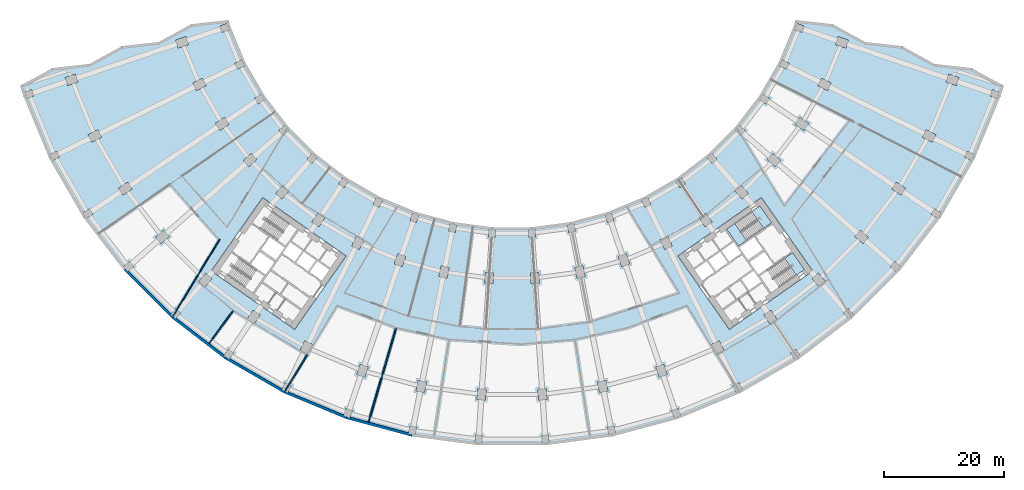
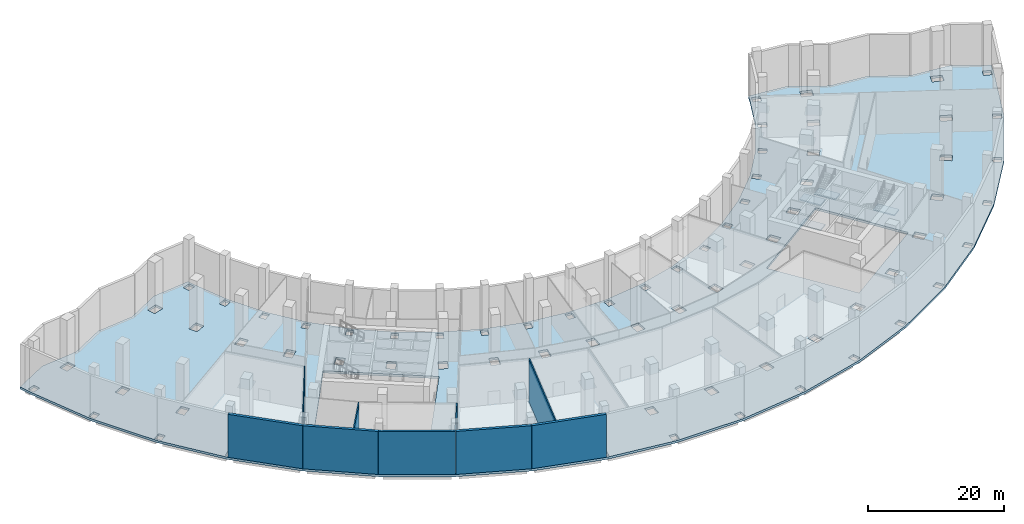
# One storey, part 4 of 17: 10 walls, 5 slabs, 2 elements without a shape of their own.
"""IFC4 building model written with IfcOpenShell, lengths in metres."""

from ifc_helpers import new_model, si_unit, direction, frame, frame_2d, origin, place, context, subcontext, project, spatial, polyline, rectangle, outline, extrude, material, layer, layer_set, type_object, element, aggregate, save


model = new_model("IFC4")

# Units and contexts
model_context = context("Model", 3, precision=1e-05, world=origin(), true_north=direction((0.0, 1.0)))
body_context = subcontext(model_context, "Body", "Model", "MODEL_VIEW")
ifc_project = project(units=[si_unit("LENGTHUNIT", "METRE"), si_unit("AREAUNIT", "SQUARE_METRE"), si_unit("VOLUMEUNIT", "CUBIC_METRE"), si_unit("PLANEANGLEUNIT", "RADIAN"), si_unit("MASSUNIT", "GRAM", prefix="KILO")], contexts=[model_context])

# Site, building, storey
site_placement = place(None, origin())
site = spatial("IfcSite", under=ifc_project, at=site_placement, CompositionType="ELEMENT")
building_placement = place(site_placement, origin())
building = spatial("IfcBuilding", under=site, at=building_placement, Name="Qamariyya Broadcast Tower", CompositionType="ELEMENT")
storey_placement = place(building_placement, frame((0.0, 0.0, 18.0)))
storey = spatial("IfcBuildingStorey", under=building, at=storey_placement, Name="L02", CompositionType="ELEMENT", Elevation=18.0)

# Slab
ifc_material_1 = material(Name="Concrete C40/50", Category="concrete")
ifc_layer_1 = layer(ifc_material_1, 0.39990234375)
ifc_layer_set_1 = layer_set([ifc_layer_1], Name="Post-tensioned floor slab 400 C40/50")
slab_type_1 = type_object("IfcSlabType", Name="Post-tensioned floor slab 400 C40/50", PredefinedType="FLOOR", material=ifc_layer_set_1)
slab_1_placement = place(storey_placement, frame((0.0, 0.0, -0.39990234375)))
element("IfcSlab", 1, at=slab_1_placement, inside=storey, type_object=slab_type_1, Name="Floor slab S3 L02", PredefinedType="FLOOR", context=body_context, shape_type="SweptSolid", body=[
    extrude(outline(polyline([(-76.78857421875, -23.0263671875), (-82.2353515625, -26.007568359375), (-81.672607421875, -27.72412109375), (-77.355224609375, -38.1474609375), (-71.71435546875, -47.91796875), (-64.84619140625, -56.86865234375), (-56.86865234375, -64.84619140625), (-47.91796875, -71.71435546875), (-38.1474609375, -77.355224609375), (-27.72412109375, -81.672607421875), (-16.82666015625, -84.5927734375), (-5.64111328125, -86.0654296875), (5.64111328125, -86.0654296875), (16.82666015625, -84.5927734375), (27.72412109375, -81.672607421875), (38.1474609375, -77.355224609375), (47.91796875, -71.71435546875), (56.86865234375, -64.84619140625), (64.84619140625, -56.86865234375), (71.71435546875, -47.91796875), (77.355224609375, -38.1474609375), (81.672607421875, -27.72412109375), (82.2353515625, -26.007568359375), (76.78857421875, -23.0263671875), (70.635009765625, -22.3388671875), (65.1865234375, -19.357421875), (59.03466796875, -18.670166015625), (53.583984375, -15.68798828125), (47.434326171875, -15.00146484375), (47.10986328125, -15.99169921875), (44.619384765625, -22.00390625), (41.36572265625, -27.6396484375), (37.404052734375, -32.802490234375), (32.802490234375, -37.404052734375), (27.6396484375, -41.36572265625), (22.00390625, -44.619384765625), (15.99169921875, -47.10986328125), (9.705810546875, -48.794189453125), (3.25390625, -49.6435546875), (-3.25390625, -49.6435546875), (-9.705810546875, -48.794189453125), (-15.99169921875, -47.10986328125), (-22.00390625, -44.619384765625), (-27.6396484375, -41.36572265625), (-32.802490234375, -37.404052734375), (-37.404052734375, -32.802490234375), (-41.36572265625, -27.6396484375), (-44.619384765625, -22.00390625), (-47.10986328125, -15.99169921875), (-47.434326171875, -15.00146484375), (-53.583984375, -15.68798828125), (-59.03466796875, -18.670166015625), (-65.1865234375, -19.357421875), (-70.635009765625, -22.3388671875), (-76.78857421875, -23.0263671875)]), holes=[polyline([(-27.714599609375, -79.93359375), (-26.6728515625, -80.287109375), (-27.0908203125, -81.51806640625), (-28.132568359375, -81.16455078125), (-27.714599609375, -79.93359375)]), polyline([(-37.910888671875, -75.632080078125), (-36.92431640625, -76.11865234375), (-37.499267578125, -77.28466796875), (-38.48583984375, -76.798095703125), (-37.910888671875, -75.632080078125)]), polyline([(-47.45849609375, -70.036865234375), (-46.5439453125, -70.64794921875), (-47.26611328125, -71.728759765625), (-48.180908203125, -71.11767578125), (-47.45849609375, -70.036865234375)]), polyline([(-33.362060546875, -69.234375), (-34.158203125, -70.8486328125), (-35.413818359375, -70.2294921875), (-34.61767578125, -68.614990234375), (-33.362060546875, -69.234375)]), polyline([(-42.113525390625, -64.287353515625), (-43.113525390625, -65.783935546875), (-44.277587890625, -65.006103515625), (-43.277587890625, -63.509521484375), (-42.113525390625, -64.287353515625)]), polyline([(-56.194091796875, -63.242919921875), (-55.3671875, -63.96826171875), (-56.224365234375, -64.94580078125), (-57.05126953125, -64.220458984375), (-56.194091796875, -63.242919921875)]), polyline([(-51.197021484375, -57.3173828125), (-50.14453125, -58.240478515625), (-51.331298828125, -59.59375), (-52.3837890625, -58.670654296875), (-51.197021484375, -57.3173828125)]), polyline([(-63.96826171875, -55.3671875), (-63.242919921875, -56.194091796875), (-64.220458984375, -57.05126953125), (-64.94580078125, -56.224365234375), (-63.96826171875, -55.3671875)]), polyline([(-27.719970703125, -54.447021484375), (-36.32373046875, -66.734375), (-50.286376953125, -56.95751953125), (-41.6826171875, -44.67041015625), (-27.719970703125, -54.447021484375)]), polyline([(-57.3173828125, -51.197021484375), (-58.670654296875, -52.3837890625), (-59.59375, -51.331298828125), (-58.240478515625, -50.14453125), (-57.3173828125, -51.197021484375)]), polyline([(-32.444091796875, -47.2958984375), (-31.280029296875, -48.07373046875), (-32.280029296875, -49.5703125), (-33.444091796875, -48.79248046875), (-32.444091796875, -47.2958984375)]), polyline([(-70.64794921875, -46.5439453125), (-70.036865234375, -47.45849609375), (-71.11767578125, -48.180908203125), (-71.728759765625, -47.26611328125), (-70.64794921875, -46.5439453125)]), polyline([(-38.33984375, -42.656494140625), (-37.287109375, -43.57958984375), (-38.47412109375, -44.932861328125), (-39.526611328125, -44.009765625), (-38.33984375, -42.656494140625)]), polyline([(-63.509521484375, -43.277587890625), (-65.006103515625, -44.277587890625), (-65.783935546875, -43.113525390625), (-64.287353515625, -42.113525390625), (-63.509521484375, -43.277587890625)]), polyline([(-27.376708984375, -41.962158203125), (-28.09912109375, -43.043212890625), (-29.013671875, -42.431884765625), (-28.291259765625, -41.35107421875), (-27.376708984375, -41.962158203125)]), polyline([(-43.57958984375, -37.287109375), (-42.656494140625, -38.33984375), (-44.009765625, -39.526611328125), (-44.932861328125, -38.47412109375), (-43.57958984375, -37.287109375)]), polyline([(-33.44677734375, -37.304443359375), (-32.61962890625, -38.02978515625), (-33.476806640625, -39.00732421875), (-34.303955078125, -38.281982421875), (-33.44677734375, -37.304443359375)]), polyline([(-76.11865234375, -36.92431640625), (-75.632080078125, -37.910888671875), (-76.798095703125, -38.48583984375), (-77.28466796875, -37.499267578125), (-76.11865234375, -36.92431640625)]), polyline([(-68.614990234375, -34.61767578125), (-70.2294921875, -35.413818359375), (-70.8486328125, -34.158203125), (-69.234375, -33.362060546875), (-68.614990234375, -34.61767578125)]), polyline([(-37.304443359375, -33.44677734375), (-38.281982421875, -34.303955078125), (-39.00732421875, -33.476806640625), (-38.02978515625, -32.61962890625), (-37.304443359375, -33.44677734375)]), polyline([(-48.07373046875, -31.280029296875), (-47.2958984375, -32.444091796875), (-48.79248046875, -33.444091796875), (-49.5703125, -32.280029296875), (-48.07373046875, -31.280029296875)]), polyline([(-41.962158203125, -27.376708984375), (-41.35107421875, -28.291259765625), (-42.431884765625, -29.013671875), (-43.043212890625, -28.09912109375), (-41.962158203125, -27.376708984375)]), polyline([(-80.287109375, -26.6728515625), (-79.93359375, -27.714599609375), (-81.16455078125, -28.132568359375), (-81.51806640625, -27.0908203125), (-80.287109375, -26.6728515625)]), polyline([(-51.1259765625, -25.9931640625), (-52.740478515625, -26.789306640625), (-53.359619140625, -25.533447265625), (-51.745361328125, -24.737548828125), (-51.1259765625, -25.9931640625)]), polyline([(-72.546630859375, -25.365478515625), (-74.2509765625, -25.944091796875), (-74.701171875, -24.618408203125), (-72.99658203125, -24.039794921875), (-72.546630859375, -25.365478515625)]), polyline([(-45.176513671875, -21.665283203125), (-44.690185546875, -22.65185546875), (-45.85595703125, -23.226806640625), (-46.342529296875, -22.240478515625), (-45.176513671875, -21.665283203125)]), polyline([(-54.531494140625, -17.771728515625), (-54.08154296875, -19.097412109375), (-55.785888671875, -19.676025390625), (-56.23583984375, -18.350341796875), (-54.531494140625, -17.771728515625)]), polyline([(-47.617919921875, -15.583251953125), (-47.264404296875, -16.625), (-48.495361328125, -17.042724609375), (-48.84912109375, -16.001220703125), (-47.617919921875, -15.583251953125)]), polyline([(6.08203125, -84.3828125), (6.1669921875, -85.68017578125), (5.0693359375, -85.751953125), (4.984375, -84.454833984375), (6.08203125, -84.3828125)]), polyline([(-4.984375, -84.454833984375), (-5.0693359375, -85.751953125), (-6.1669921875, -85.68017578125), (-6.08203125, -84.3828125), (-4.984375, -84.454833984375)]), polyline([(-17.044189453125, -82.8671875), (-15.965087890625, -83.081787109375), (-16.21875, -84.356689453125), (-17.297607421875, -84.14208984375), (-17.044189453125, -82.8671875)]), polyline([(15.965087890625, -83.081787109375), (17.044189453125, -82.8671875), (17.297607421875, -84.14208984375), (16.21875, -84.356689453125), (15.965087890625, -83.081787109375)]), polyline([(26.6728515625, -80.287109375), (27.714599609375, -79.93359375), (28.132568359375, -81.16455078125), (27.0908203125, -81.51806640625), (26.6728515625, -80.287109375)]), polyline([(-4.32763671875, -76.731201171875), (-4.445556640625, -78.52734375), (-5.842529296875, -78.435791015625), (-5.724853515625, -76.6396484375), (-4.32763671875, -76.731201171875)]), polyline([(5.724853515625, -76.6396484375), (5.842529296875, -78.435791015625), (4.445556640625, -78.52734375), (4.32763671875, -76.731201171875), (5.724853515625, -76.6396484375)]), polyline([(-15.67919921875, -75.23681640625), (-14.30615234375, -75.510009765625), (-14.6572265625, -77.275390625), (-16.030517578125, -77.002197265625), (-15.67919921875, -75.23681640625)]), polyline([(15.67919921875, -75.23681640625), (16.030517578125, -77.002197265625), (14.6572265625, -77.275390625), (14.30615234375, -75.510009765625), (15.67919921875, -75.23681640625)]), polyline([(-24.039794921875, -72.99658203125), (-24.618408203125, -74.701171875), (-25.944091796875, -74.2509765625), (-25.365478515625, -72.546630859375), (-24.039794921875, -72.99658203125)]), polyline([(24.039794921875, -72.99658203125), (25.365478515625, -72.546630859375), (25.944091796875, -74.2509765625), (24.618408203125, -74.701171875), (24.039794921875, -72.99658203125)]), polyline([(4.449462890625, -57.181396484375), (4.567138671875, -58.9775390625), (3.170166015625, -59.069091796875), (3.05224609375, -57.27294921875), (4.449462890625, -57.181396484375)]), polyline([(-3.05224609375, -57.27294921875), (-3.170166015625, -59.069091796875), (-4.567138671875, -58.9775390625), (-4.449462890625, -57.181396484375), (-3.05224609375, -57.27294921875)]), polyline([(10.501953125, -56.384521484375), (11.875, -56.111572265625), (12.22607421875, -57.876953125), (10.85302734375, -58.14990234375), (10.501953125, -56.384521484375)]), polyline([(-11.875, -56.111572265625), (-10.501953125, -56.384521484375), (-10.85302734375, -58.14990234375), (-12.22607421875, -57.876953125), (-11.875, -56.111572265625)]), polyline([(17.771728515625, -54.531494140625), (19.097412109375, -54.08154296875), (19.676025390625, -55.785888671875), (18.350341796875, -56.23583984375), (17.771728515625, -54.531494140625)]), polyline([(-17.771728515625, -54.531494140625), (-18.350341796875, -56.23583984375), (-19.676025390625, -55.785888671875), (-19.097412109375, -54.08154296875), (-17.771728515625, -54.531494140625)]), polyline([(-24.737548828125, -51.745361328125), (-25.533447265625, -53.359619140625), (-26.789306640625, -52.740478515625), (-25.9931640625, -51.1259765625), (-24.737548828125, -51.745361328125)]), polyline([(24.737548828125, -51.745361328125), (25.9931640625, -51.1259765625), (26.789306640625, -52.740478515625), (25.533447265625, -53.359619140625), (24.737548828125, -51.745361328125)]), polyline([(-3.825439453125, -49.956787109375), (-2.727783203125, -50.02880859375), (-2.81298828125, -51.325927734375), (-3.91064453125, -51.25390625), (-3.825439453125, -49.956787109375)]), polyline([(2.727783203125, -50.02880859375), (3.825439453125, -49.956787109375), (3.91064453125, -51.25390625), (2.81298828125, -51.325927734375), (2.727783203125, -50.02880859375)]), polyline([(-9.234619140625, -49.24462890625), (-9.48828125, -50.519775390625), (-10.567138671875, -50.30517578125), (-10.3134765625, -49.030029296875), (-9.234619140625, -49.24462890625)]), polyline([(10.3134765625, -49.030029296875), (10.567138671875, -50.30517578125), (9.48828125, -50.519775390625), (9.234619140625, -49.24462890625), (10.3134765625, -49.030029296875)]), polyline([(15.583251953125, -47.617919921875), (16.625, -47.264404296875), (17.042724609375, -48.495361328125), (16.001220703125, -48.84912109375), (15.583251953125, -47.617919921875)]), polyline([(-16.625, -47.264404296875), (-15.583251953125, -47.617919921875), (-16.001220703125, -48.84912109375), (-17.042724609375, -48.495361328125), (-16.625, -47.264404296875)]), polyline([(21.665283203125, -45.176513671875), (22.65185546875, -44.690185546875), (23.226806640625, -45.85595703125), (22.240478515625, -46.342529296875), (21.665283203125, -45.176513671875)]), polyline([(-21.665283203125, -45.176513671875), (-22.240478515625, -46.342529296875), (-23.226806640625, -45.85595703125), (-22.65185546875, -44.690185546875), (-21.665283203125, -45.176513671875)]), polyline([(28.291259765625, -41.35107421875), (29.013671875, -42.431884765625), (28.09912109375, -43.043212890625), (27.376708984375, -41.962158203125), (28.291259765625, -41.35107421875)]), polyline([(36.92431640625, -76.11865234375), (37.910888671875, -75.632080078125), (38.48583984375, -76.798095703125), (37.499267578125, -77.28466796875), (36.92431640625, -76.11865234375)]), polyline([(46.5439453125, -70.64794921875), (47.45849609375, -70.036865234375), (48.180908203125, -71.11767578125), (47.26611328125, -71.728759765625), (46.5439453125, -70.64794921875)]), polyline([(33.362060546875, -69.234375), (34.61767578125, -68.614990234375), (35.413818359375, -70.2294921875), (34.158203125, -70.8486328125), (33.362060546875, -69.234375)]), polyline([(43.277587890625, -63.509521484375), (44.277587890625, -65.006103515625), (43.113525390625, -65.783935546875), (42.113525390625, -64.287353515625), (43.277587890625, -63.509521484375)]), polyline([(56.194091796875, -63.242919921875), (57.05126953125, -64.220458984375), (56.224365234375, -64.94580078125), (55.3671875, -63.96826171875), (56.194091796875, -63.242919921875)]), polyline([(50.14453125, -58.240478515625), (51.197021484375, -57.3173828125), (52.3837890625, -58.670654296875), (51.331298828125, -59.59375), (50.14453125, -58.240478515625)]), polyline([(63.242919921875, -56.194091796875), (63.96826171875, -55.3671875), (64.94580078125, -56.224365234375), (64.220458984375, -57.05126953125), (63.242919921875, -56.194091796875)]), polyline([(27.719970703125, -54.447021484375), (41.6826171875, -44.67041015625), (50.286376953125, -56.95751953125), (36.32373046875, -66.734375), (27.719970703125, -54.447021484375)]), polyline([(58.240478515625, -50.14453125), (59.59375, -51.331298828125), (58.670654296875, -52.3837890625), (57.3173828125, -51.197021484375), (58.240478515625, -50.14453125)]), polyline([(32.444091796875, -47.2958984375), (33.444091796875, -48.79248046875), (32.280029296875, -49.5703125), (31.280029296875, -48.07373046875), (32.444091796875, -47.2958984375)]), polyline([(70.036865234375, -47.45849609375), (70.64794921875, -46.5439453125), (71.728759765625, -47.26611328125), (71.11767578125, -48.180908203125), (70.036865234375, -47.45849609375)]), polyline([(37.287109375, -43.57958984375), (38.33984375, -42.656494140625), (39.526611328125, -44.009765625), (38.47412109375, -44.932861328125), (37.287109375, -43.57958984375)]), polyline([(63.509521484375, -43.277587890625), (64.287353515625, -42.113525390625), (65.783935546875, -43.113525390625), (65.006103515625, -44.277587890625), (63.509521484375, -43.277587890625)]), polyline([(43.57958984375, -37.287109375), (44.932861328125, -38.47412109375), (44.009765625, -39.526611328125), (42.656494140625, -38.33984375), (43.57958984375, -37.287109375)]), polyline([(33.44677734375, -37.304443359375), (34.303955078125, -38.281982421875), (33.476806640625, -39.00732421875), (32.61962890625, -38.02978515625), (33.44677734375, -37.304443359375)]), polyline([(75.632080078125, -37.910888671875), (76.11865234375, -36.92431640625), (77.28466796875, -37.499267578125), (76.798095703125, -38.48583984375), (75.632080078125, -37.910888671875)]), polyline([(68.614990234375, -34.61767578125), (69.234375, -33.362060546875), (70.8486328125, -34.158203125), (70.2294921875, -35.413818359375), (68.614990234375, -34.61767578125)]), polyline([(37.304443359375, -33.44677734375), (38.02978515625, -32.61962890625), (39.00732421875, -33.476806640625), (38.281982421875, -34.303955078125), (37.304443359375, -33.44677734375)]), polyline([(48.07373046875, -31.280029296875), (49.5703125, -32.280029296875), (48.79248046875, -33.444091796875), (47.2958984375, -32.444091796875), (48.07373046875, -31.280029296875)]), polyline([(41.962158203125, -27.376708984375), (43.043212890625, -28.09912109375), (42.431884765625, -29.013671875), (41.35107421875, -28.291259765625), (41.962158203125, -27.376708984375)]), polyline([(79.93359375, -27.714599609375), (80.287109375, -26.6728515625), (81.51806640625, -27.0908203125), (81.16455078125, -28.132568359375), (79.93359375, -27.714599609375)]), polyline([(51.745361328125, -24.737548828125), (53.359619140625, -25.533447265625), (52.740478515625, -26.789306640625), (51.1259765625, -25.9931640625), (51.745361328125, -24.737548828125)]), polyline([(72.99658203125, -24.039794921875), (74.701171875, -24.618408203125), (74.2509765625, -25.944091796875), (72.546630859375, -25.365478515625), (72.99658203125, -24.039794921875)]), polyline([(44.690185546875, -22.65185546875), (45.176513671875, -21.665283203125), (46.342529296875, -22.240478515625), (45.85595703125, -23.226806640625), (44.690185546875, -22.65185546875)]), polyline([(54.531494140625, -17.771728515625), (56.23583984375, -18.350341796875), (55.785888671875, -19.676025390625), (54.08154296875, -19.097412109375), (54.531494140625, -17.771728515625)]), polyline([(47.617919921875, -15.583251953125), (48.84912109375, -16.001220703125), (48.495361328125, -17.042724609375), (47.264404296875, -16.625), (47.617919921875, -15.583251953125)])]), origin(), (0.0, 0.0, 1.0), 0.39990234375),
])

# Stair, slabs
ifc_material_2 = material(Name="Concrete C50/60", Category="concrete")
stair_type = type_object("IfcStairType", Name="Exit stair 52 risers of 173 mm", PredefinedType="HALF_TURN_STAIR", material=ifc_material_2)
stair_1_placement = place(storey_placement, origin())
stair_1 = element("IfcStair", 2, at=stair_1_placement, inside=storey, type_object=stair_type, Name="L02 Stair E2", PredefinedType="HALF_TURN_STAIR")
ifc_layer_2 = layer(ifc_material_2, 0.199951171875)
ifc_layer_set_2 = layer_set([ifc_layer_2], Name="Stair landing")
slab_type_2 = type_object("IfcSlabType", Name="Stair landing", PredefinedType="LANDING", material=ifc_layer_set_2)
slab_2_placement = place(storey_placement, frame((0.0, 0.0, 2.050048828125)))
slab_2 = element("IfcSlab", 3, at=slab_2_placement, type_object=slab_type_2, Name="ST-E2 landing 1", PredefinedType="LANDING", context=body_context, shape_type="SweptSolid", body=[
    extrude(outline(polyline([(37.23828125, -49.003173828125), (35.870849609375, -49.960693359375), (37.849609375, -52.78662109375), (39.217041015625, -51.829345703125), (37.23828125, -49.003173828125)])), origin(), (0.0, 0.0, 1.0), 0.199951171875),
])
slab_3_placement = place(storey_placement, frame((0.0, 0.0, 4.300048828125)))
slab_3 = element("IfcSlab", 4, at=slab_3_placement, type_object=slab_type_2, Name="ST-E2 landing 2", PredefinedType="LANDING", context=body_context, shape_type="SweptSolid", body=[
    extrude(outline(polyline([(41.437255859375, -46.06298828125), (40.082275390625, -47.01171875), (42.06103515625, -49.837890625), (43.416015625, -48.88916015625), (41.437255859375, -46.06298828125)])), origin(), (0.0, 0.0, 1.0), 0.199951171875),
])
slab_4_placement = place(storey_placement, frame((0.0, 0.0, 6.550048828125)))
slab_4 = element("IfcSlab", 5, at=slab_4_placement, type_object=slab_type_2, Name="ST-E2 landing 3", PredefinedType="LANDING", context=body_context, shape_type="SweptSolid", body=[
    extrude(outline(polyline([(37.23828125, -49.003173828125), (35.870849609375, -49.960693359375), (37.849609375, -52.78662109375), (39.217041015625, -51.829345703125), (37.23828125, -49.003173828125)])), origin(), (0.0, 0.0, 1.0), 0.199951171875),
])
aggregate(stair_1, [slab_2, slab_3, slab_4])

# Stair, slab
stair_2_placement = place(storey_placement, origin())
stair_2 = element("IfcStair", 6, at=stair_2_placement, inside=storey, type_object=stair_type, Name="L02 Stair E1", PredefinedType="HALF_TURN_STAIR")
slab_5_placement = place(storey_placement, frame((0.0, 0.0, 4.300048828125)))
slab_5 = element("IfcSlab", 7, at=slab_5_placement, type_object=slab_type_2, Name="ST-E1 landing 2", PredefinedType="LANDING", context=body_context, shape_type="SweptSolid", body=[
    extrude(outline(polyline([(46.914794921875, -53.885986328125), (45.559814453125, -54.834716796875), (47.538818359375, -57.66064453125), (48.8935546875, -56.7119140625), (46.914794921875, -53.885986328125)])), origin(), (0.0, 0.0, 1.0), 0.199951171875),
])
aggregate(stair_2, [slab_5])

# Walls
ifc_material_3 = material(Name="Gypsum board partition")
ifc_layer_3 = layer(ifc_material_3, 0.14990234375)
ifc_layer_set_3 = layer_set([ifc_layer_3], Name="Corridor partition 150 EI 60")
wall_type_1 = type_object("IfcWallType", Name="Corridor partition 150 EI 60", PredefinedType="PARTITIONING", material=ifc_layer_set_3)
wall_1_placement = place(storey_placement, frame((-52.935791015625, -58.37158203125, 0.0), z_axis=(0.0, 0.0, 1.0), x_axis=(-0.519148894699, -0.854683815883, 0.0)))
element("IfcWall", 8, at=wall_1_placement, inside=storey, type_object=wall_type_1, Name="Partition L02-004", PredefinedType="PARTITIONING", context=body_context, shape_type="SweptSolid", body=[
    extrude(rectangle(XDim=7.12548828125, YDim=0.14990234375, at=frame_2d((3.562744140625, 0.0))), origin(), (0.0, 0.0, 1.0), 7.60009765625),
])
wall_2_placement = place(storey_placement, frame((-48.870361328125, -51.678955078125, 0.0), z_axis=(0.0, 0.0, 1.0), x_axis=(-0.519169312849, -0.854671413232, 0.0)))
element("IfcWall", 9, at=wall_2_placement, inside=storey, type_object=wall_type_1, Name="Partition L02-008", PredefinedType="PARTITIONING", context=body_context, shape_type="SweptSolid", body=[
    extrude(rectangle(XDim=7.83056640625, YDim=0.14990234375, at=frame_2d((3.915283203125, 0.0))), origin(), (0.0, 0.0, 1.0), 7.60009765625),
])
ifc_material_4 = material(Name="Precast concrete C40/50 with terracotta facing", Category="masonry")
ifc_layer_4 = layer(ifc_material_4, 0.449951171875)
ifc_layer_set_4 = layer_set([ifc_layer_4], Name="Precast concrete C40/50 wall 450, terracotta faced")
wall_type_2 = type_object("IfcWallType", Name="Precast concrete C40/50 wall 450, terracotta faced", PredefinedType="SOLIDWALL", material=ifc_layer_set_4)
wall_3_placement = place(storey_placement, frame((-64.69775390625, -56.69873046875, 0.0), z_axis=(0.0, 0.0, 1.0), x_axis=(0.707106781187, -0.707106781187, 0.0)))
element("IfcWall", 10, at=wall_3_placement, inside=storey, type_object=wall_type_2, Name="e-wl-L02-out40", PredefinedType="SOLIDWALL", context=body_context, shape_type="SweptSolid", body=[
    extrude(rectangle(XDim=11.312255859375, YDim=0.449951171875, at=frame_2d((5.65625, 0.0))), origin(), (0.0, 0.0, 1.0), 7.699951171875),
])
wall_4_placement = place(storey_placement, frame((-56.673095703125, -64.712646484375, 0.0), z_axis=(0.0, 0.0, 1.0), x_axis=(0.793355377778, -0.608758773695, 0.0)))
element("IfcWall", 11, at=wall_4_placement, inside=storey, type_object=wall_type_2, Name="e-wl-L02-out50", PredefinedType="SOLIDWALL", context=body_context, shape_type="SweptSolid", body=[
    extrude(rectangle(XDim=11.134765625, YDim=0.449951171875, at=frame_2d((5.5673828125, 0.0))), origin(), (0.0, 0.0, 1.0), 7.699951171875),
])
wall_5_placement = place(storey_placement, frame((-47.818603515625, -71.51171875, 0.0), z_axis=(0.0, 0.0, 1.0), x_axis=(0.866024577697, -0.500001430823, 0.0)))
element("IfcWall", 12, at=wall_5_placement, inside=storey, type_object=wall_type_2, Name="e-wl-L02-out60", PredefinedType="SOLIDWALL", context=body_context, shape_type="SweptSolid", body=[
    extrude(rectangle(XDim=11.3125, YDim=0.449951171875, at=frame_2d((5.65625, 0.0))), origin(), (0.0, 0.0, 1.0), 7.699951171875),
])
wall_6_placement = place(storey_placement, frame((-37.9931640625, -77.175537109375, 0.0), z_axis=(0.0, 0.0, 1.0), x_axis=(0.923874126662, -0.382696482978, 0.0)))
element("IfcWall", 13, at=wall_6_placement, inside=storey, type_object=wall_type_2, Name="e-wl-L02-out70", PredefinedType="SOLIDWALL", context=body_context, shape_type="SweptSolid", body=[
    extrude(rectangle(XDim=11.134765625, YDim=0.449951171875, at=frame_2d((5.5673828125, 0.0))), origin(), (0.0, 0.0, 1.0), 7.699951171875),
])
wall_7_placement = place(storey_placement, frame((-27.6806640625, -81.451416015625, 0.0), z_axis=(0.0, 0.0, 1.0), x_axis=(0.965923678926, -0.258827059038, 0.0)))
element("IfcWall", 14, at=wall_7_placement, inside=storey, type_object=wall_type_2, Name="e-wl-L02-out80", PredefinedType="SOLIDWALL", context=body_context, shape_type="SweptSolid", body=[
    extrude(rectangle(XDim=11.3125, YDim=0.449951171875, at=frame_2d((5.65625, 0.0))), origin(), (0.0, 0.0, 1.0), 7.699951171875),
])
ifc_layer_5 = layer(ifc_material_3, 0.179931640625)
ifc_layer_set_5 = layer_set([ifc_layer_5], Name="Studio acoustic partition 180 EI 60")
wall_type_3 = type_object("IfcWallType", Name="Studio acoustic partition 180 EI 60", PredefinedType="PARTITIONING", material=ifc_layer_set_5)
wall_8_placement = place(storey_placement, frame((-50.635498046875, -69.06201171875, 0.0), z_axis=(0.0, 0.0, 1.0), x_axis=(0.591296194805, 0.806454468652, 0.0)))
element("IfcWall", 15, at=wall_8_placement, inside=storey, type_object=wall_type_3, Name="Partition L02-006", PredefinedType="PARTITIONING", context=body_context, shape_type="SweptSolid", body=[
    extrude(rectangle(XDim=6.745849609375, YDim=0.179931640625, at=frame_2d((3.373046875, 0.0))), origin(), (0.0, 0.0, 1.0), 7.60009765625),
])
wall_9_placement = place(storey_placement, frame((-34.260009765625, -70.962646484375, 0.0), z_axis=(0.0, 0.0, 1.0), x_axis=(-0.519582317334, -0.854420397412, 0.0)))
element("IfcWall", 16, at=wall_9_placement, inside=storey, type_object=wall_type_3, Name="Partition L02-015", PredefinedType="PARTITIONING", context=body_context, shape_type="SweptSolid", body=[
    extrude(rectangle(XDim=7.03173828125, YDim=0.179931640625, at=frame_2d((3.515869140625, 0.0))), origin(), (0.0, 0.0, 1.0), 7.60009765625),
])
wall_10_placement = place(storey_placement, frame((-23.965576171875, -82.214111328125, 0.0), z_axis=(0.0, 0.0, 1.0), x_axis=(0.279852024748, 0.960043147074, 0.0)))
element("IfcWall", 17, at=wall_10_placement, inside=storey, type_object=wall_type_3, Name="Partition L02-020", PredefinedType="PARTITIONING", context=body_context, shape_type="SweptSolid", body=[
    extrude(rectangle(XDim=16.345947265625, YDim=0.179931640625, at=frame_2d((8.1728515625, 0.0))), origin(), (0.0, 0.0, 1.0), 7.60009765625),
])

save(model, "model.ifc")
